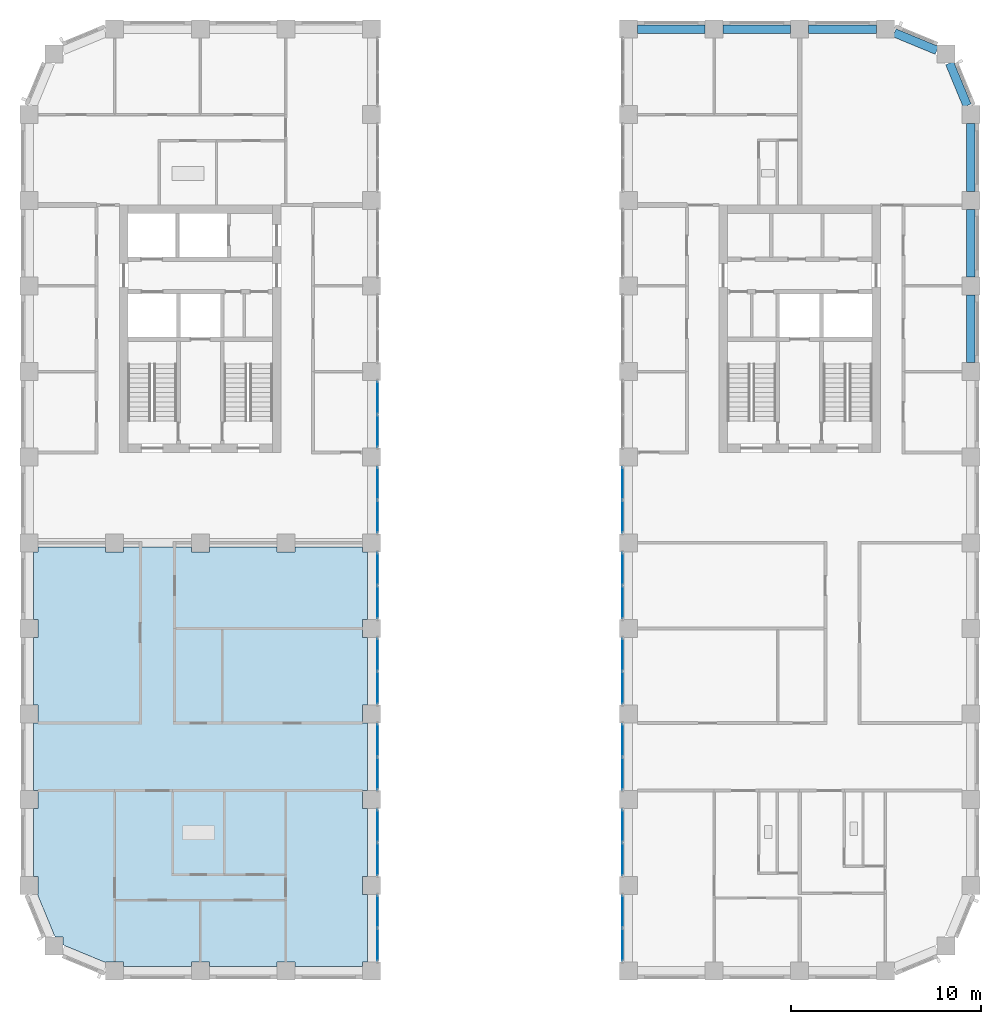
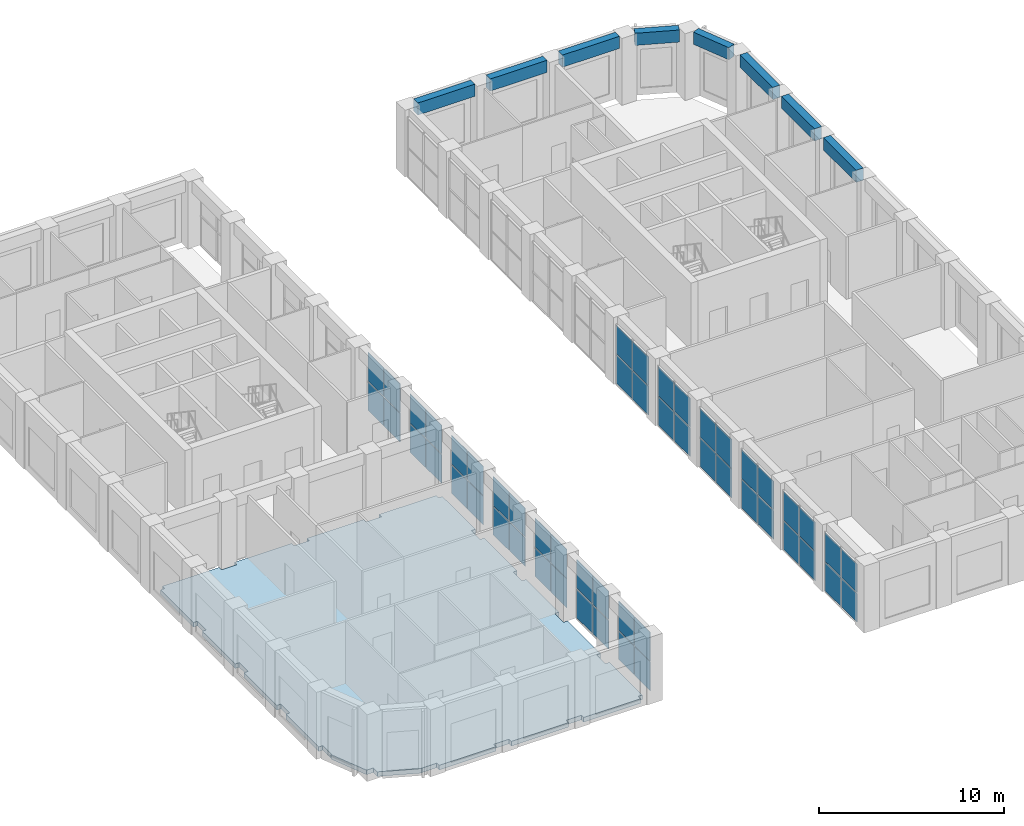
# One storey, part 7 of 19: 52 plates, 8 beams, 1 slab, 13 elements without a shape of their own.
"""IFC4 building model written with IfcOpenShell, lengths in metres."""

from ifc_helpers import new_model, si_unit, direction, frame, origin, origin_2d, place, context, subcontext, project, spatial, polyline, rectangle, outline, extrude, material, layer, layer_set, material_profile, profile_set, type_object, element, aggregate, save


model = new_model("IFC4")

# Units and contexts
model_context = context("Model", 3, precision=1e-05, world=origin(), true_north=direction((0.0, 1.0)))
body_context = subcontext(model_context, "Body", "Model", "MODEL_VIEW")
ifc_project = project(units=[si_unit("LENGTHUNIT", "METRE"), si_unit("AREAUNIT", "SQUARE_METRE"), si_unit("VOLUMEUNIT", "CUBIC_METRE"), si_unit("PLANEANGLEUNIT", "RADIAN"), si_unit("MASSUNIT", "GRAM", prefix="KILO")], contexts=[model_context])

# Site, building, storey
site_placement = place(None, origin())
site = spatial("IfcSite", under=ifc_project, at=site_placement, CompositionType="ELEMENT")
building_placement = place(site_placement, origin())
building = spatial("IfcBuilding", under=site, at=building_placement, Name="Girih Gate Residences", CompositionType="ELEMENT")
storey_placement = place(building_placement, frame((0.0, 0.0, 163.800048828125)))
storey = spatial("IfcBuildingStorey", under=building, at=storey_placement, Name="L45", CompositionType="ELEMENT", Elevation=163.800048828125)

# Beams
ifc_material_1 = material(Name="Concrete C60/75", Category="concrete")
ifc_material_profile = material_profile(ifc_material_1, rectangle(XDim=0.449951171875, YDim=0.800048828125, at=origin_2d()))
ifc_profile_set = profile_set([ifc_material_profile], Name="Concrete C60/75")
beam_type = type_object("IfcBeamType", Name="Spandrel girder RC 450x800 Concrete C60/75", PredefinedType="BEAM", material=ifc_profile_set)
for number, where, z_axis, x_axis, name in (
    (1, (49.5, 31.97509765625, 4.0), (0.0, 1.0, 0.0), (-1.0, 0.0, 0.0), "Spandrel girder SP-P12H-P12I L45"),
    (2, (49.5, 36.47509765625, 4.0), (0.0, 1.0, 0.0), (-1.0, 0.0, 0.0), "Spandrel girder SP-P12I-P12J L45"),
    (3, (49.5, 40.97509765625, 4.0), (0.0, 1.0, 0.0), (-1.0, 0.0, 0.0), "Spandrel girder SP-P12J-P12K L45"),
):
    element("IfcBeam", number, at=place(storey_placement, frame(where, z_axis=z_axis, x_axis=x_axis)), inside=storey, type_object=beam_type, Name=name, PredefinedType="BEAM", context=body_context, shape_type="SweptSolid", body=[
        extrude(rectangle(XDim=0.449951171875, YDim=0.800048828125, at=origin_2d()), origin(), (0.0, 0.0, 1.0), 3.5498046875),
    ])
for number, where, z_axis, x_axis, name in (
    (4, (49.30322265625, 45.47509765625, 4.0), (-0.382705825988, 0.923870256451, 0.0), (-0.923870256451, -0.382705825988, 0.0), "Spandrel girder SP-P12K-P12LSW L45"),
    (5, (47.70703125, 48.378662109375, 4.0), (-0.923870256451, 0.382705825988, 0.0), (-0.382705825988, -0.923870256451, 0.0), "Spandrel girder SP-P12LSW-P11L L45"),
):
    element("IfcBeam", number, at=place(storey_placement, frame(where, z_axis=z_axis, x_axis=x_axis)), inside=storey, type_object=beam_type, Name=name, PredefinedType="BEAM", context=body_context, shape_type="SweptSolid", body=[
        extrude(rectangle(XDim=0.449951171875, YDim=0.800048828125, at=origin_2d()), origin(), (0.0, 0.0, 1.0), 2.415771484375),
    ])
for number, where, z_axis, x_axis, name in (
    (6, (44.52490234375, 49.5, 4.0), (-1.0, 0.0, 0.0), (0.0, -1.0, 0.0), "Spandrel girder SP-P11L-P10L L45"),
    (7, (40.02490234375, 49.5, 4.0), (-1.0, 0.0, 0.0), (0.0, -1.0, 0.0), "Spandrel girder SP-P10L-P9L L45"),
    (8, (35.52490234375, 49.5, 4.0), (-1.0, 0.0, 0.0), (0.0, -1.0, 0.0), "Spandrel girder SP-P9L-P8L L45"),
):
    element("IfcBeam", number, at=place(storey_placement, frame(where, z_axis=z_axis, x_axis=x_axis)), inside=storey, type_object=beam_type, Name=name, PredefinedType="BEAM", context=body_context, shape_type="SweptSolid", body=[
        extrude(rectangle(XDim=0.449951171875, YDim=0.800048828125, at=origin_2d()), origin(), (0.0, 0.0, 1.0), 3.5498046875),
    ])

# Curtain wall, plates
ifc_material_2 = material(Name="Aluminium curtain wall frame", Category="aluminium")
curtain_wall_type = type_object("IfcCurtainWallType", Name="Curtain wall CW-7 portal lounge glazing", PredefinedType="NOTDEFINED", material=ifc_material_2)
curtain_wall_1_placement = place(storey_placement, origin())
curtain_wall_1 = element("IfcCurtainWall", 9, at=curtain_wall_1_placement, inside=storey, type_object=curtain_wall_type, Name="CW-7 Portal lounge glazing E0180_0000.0", PredefinedType="NOTDEFINED")
ifc_material_3 = material(Name="Double glazed unit")
ifc_layer_1 = layer(ifc_material_3, 0.028076171875)
ifc_layer_set_1 = layer_set([ifc_layer_1], Name="Curtain wall glass panel 28")
plate_type = type_object("IfcPlateType", Name="Curtain wall glass panel 28", PredefinedType="CURTAIN_PANEL", material=ifc_layer_set_1)
plate_1_placement = place(storey_placement, frame((18.31494140625, 1.37744140625, 0.06005859375), z_axis=(0.0, 0.0, 1.0), x_axis=(0.0, 1.0, 0.0)))
plate_1 = element("IfcPlate", 10, at=plate_1_placement, type_object=plate_type, Name="CW-7 panel 1.1", PredefinedType="CURTAIN_PANEL", context=body_context, shape_type="SweptSolid", body=[
    extrude(rectangle(XDim=1.68505859375, YDim=0.028076171875, at=origin_2d()), origin(), (0.0, 0.0, 1.0), 1.885009765625),
])
plate_2_placement = place(storey_placement, frame((18.31494140625, 1.37744140625, 2.0048828125), z_axis=(0.0, 0.0, 1.0), x_axis=(0.0, 1.0, 0.0)))
plate_2 = element("IfcPlate", 11, at=plate_2_placement, type_object=plate_type, Name="CW-7 panel 1.2", PredefinedType="CURTAIN_PANEL", context=body_context, shape_type="SweptSolid", body=[
    extrude(rectangle(XDim=1.68505859375, YDim=0.028076171875, at=origin_2d()), origin(), (0.0, 0.0, 1.0), 1.885009765625),
])
plate_3_placement = place(storey_placement, frame((18.31494140625, 3.12255859375, 0.06005859375), z_axis=(0.0, 0.0, 1.0), x_axis=(0.0, 1.0, 0.0)))
plate_3 = element("IfcPlate", 12, at=plate_3_placement, type_object=plate_type, Name="CW-7 panel 2.1", PredefinedType="CURTAIN_PANEL", context=body_context, shape_type="SweptSolid", body=[
    extrude(rectangle(XDim=1.68505859375, YDim=0.028076171875, at=origin_2d()), origin(), (0.0, 0.0, 1.0), 1.885009765625),
])
plate_4_placement = place(storey_placement, frame((18.31494140625, 3.12255859375, 2.0048828125), z_axis=(0.0, 0.0, 1.0), x_axis=(0.0, 1.0, 0.0)))
plate_4 = element("IfcPlate", 13, at=plate_4_placement, type_object=plate_type, Name="CW-7 panel 2.2", PredefinedType="CURTAIN_PANEL", context=body_context, shape_type="SweptSolid", body=[
    extrude(rectangle(XDim=1.68505859375, YDim=0.028076171875, at=origin_2d()), origin(), (0.0, 0.0, 1.0), 1.885009765625),
])
aggregate(curtain_wall_1, [plate_1, plate_2, plate_3, plate_4])

curtain_wall_2_placement = place(storey_placement, origin())
curtain_wall_2 = element("IfcCurtainWall", 14, at=curtain_wall_2_placement, inside=storey, type_object=curtain_wall_type, Name="CW-7 Portal lounge glazing E0180_0000.1", PredefinedType="NOTDEFINED")
plate_5_placement = place(storey_placement, frame((18.31494140625, 5.87744140625, 0.06005859375), z_axis=(0.0, 0.0, 1.0), x_axis=(0.0, 1.0, 0.0)))
plate_5 = element("IfcPlate", 15, at=plate_5_placement, type_object=plate_type, Name="CW-7 panel 1.1", PredefinedType="CURTAIN_PANEL", context=body_context, shape_type="SweptSolid", body=[
    extrude(rectangle(XDim=1.68505859375, YDim=0.028076171875, at=origin_2d()), origin(), (0.0, 0.0, 1.0), 1.885009765625),
])
plate_6_placement = place(storey_placement, frame((18.31494140625, 5.87744140625, 2.0048828125), z_axis=(0.0, 0.0, 1.0), x_axis=(0.0, 1.0, 0.0)))
plate_6 = element("IfcPlate", 16, at=plate_6_placement, type_object=plate_type, Name="CW-7 panel 1.2", PredefinedType="CURTAIN_PANEL", context=body_context, shape_type="SweptSolid", body=[
    extrude(rectangle(XDim=1.68505859375, YDim=0.028076171875, at=origin_2d()), origin(), (0.0, 0.0, 1.0), 1.885009765625),
])
plate_7_placement = place(storey_placement, frame((18.31494140625, 7.62255859375, 0.06005859375), z_axis=(0.0, 0.0, 1.0), x_axis=(0.0, 1.0, 0.0)))
plate_7 = element("IfcPlate", 17, at=plate_7_placement, type_object=plate_type, Name="CW-7 panel 2.1", PredefinedType="CURTAIN_PANEL", context=body_context, shape_type="SweptSolid", body=[
    extrude(rectangle(XDim=1.68505859375, YDim=0.028076171875, at=origin_2d()), origin(), (0.0, 0.0, 1.0), 1.885009765625),
])
plate_8_placement = place(storey_placement, frame((18.31494140625, 7.62255859375, 2.0048828125), z_axis=(0.0, 0.0, 1.0), x_axis=(0.0, 1.0, 0.0)))
plate_8 = element("IfcPlate", 18, at=plate_8_placement, type_object=plate_type, Name="CW-7 panel 2.2", PredefinedType="CURTAIN_PANEL", context=body_context, shape_type="SweptSolid", body=[
    extrude(rectangle(XDim=1.68505859375, YDim=0.028076171875, at=origin_2d()), origin(), (0.0, 0.0, 1.0), 1.885009765625),
])
aggregate(curtain_wall_2, [plate_5, plate_6, plate_7, plate_8])

curtain_wall_3_placement = place(storey_placement, origin())
curtain_wall_3 = element("IfcCurtainWall", 19, at=curtain_wall_3_placement, inside=storey, type_object=curtain_wall_type, Name="CW-7 Portal lounge glazing E0180_0000.2", PredefinedType="NOTDEFINED")
plate_9_placement = place(storey_placement, frame((18.31494140625, 10.37744140625, 0.06005859375), z_axis=(0.0, 0.0, 1.0), x_axis=(0.0, 1.0, 0.0)))
plate_9 = element("IfcPlate", 20, at=plate_9_placement, type_object=plate_type, Name="CW-7 panel 1.1", PredefinedType="CURTAIN_PANEL", context=body_context, shape_type="SweptSolid", body=[
    extrude(rectangle(XDim=1.68505859375, YDim=0.028076171875, at=origin_2d()), origin(), (0.0, 0.0, 1.0), 1.885009765625),
])
plate_10_placement = place(storey_placement, frame((18.31494140625, 10.37744140625, 2.0048828125), z_axis=(0.0, 0.0, 1.0), x_axis=(0.0, 1.0, 0.0)))
plate_10 = element("IfcPlate", 21, at=plate_10_placement, type_object=plate_type, Name="CW-7 panel 1.2", PredefinedType="CURTAIN_PANEL", context=body_context, shape_type="SweptSolid", body=[
    extrude(rectangle(XDim=1.68505859375, YDim=0.028076171875, at=origin_2d()), origin(), (0.0, 0.0, 1.0), 1.885009765625),
])
plate_11_placement = place(storey_placement, frame((18.31494140625, 12.12255859375, 0.06005859375), z_axis=(0.0, 0.0, 1.0), x_axis=(0.0, 1.0, 0.0)))
plate_11 = element("IfcPlate", 22, at=plate_11_placement, type_object=plate_type, Name="CW-7 panel 2.1", PredefinedType="CURTAIN_PANEL", context=body_context, shape_type="SweptSolid", body=[
    extrude(rectangle(XDim=1.68505859375, YDim=0.028076171875, at=origin_2d()), origin(), (0.0, 0.0, 1.0), 1.885009765625),
])
plate_12_placement = place(storey_placement, frame((18.31494140625, 12.12255859375, 2.0048828125), z_axis=(0.0, 0.0, 1.0), x_axis=(0.0, 1.0, 0.0)))
plate_12 = element("IfcPlate", 23, at=plate_12_placement, type_object=plate_type, Name="CW-7 panel 2.2", PredefinedType="CURTAIN_PANEL", context=body_context, shape_type="SweptSolid", body=[
    extrude(rectangle(XDim=1.68505859375, YDim=0.028076171875, at=origin_2d()), origin(), (0.0, 0.0, 1.0), 1.885009765625),
])
aggregate(curtain_wall_3, [plate_9, plate_10, plate_11, plate_12])

curtain_wall_4_placement = place(storey_placement, origin())
curtain_wall_4 = element("IfcCurtainWall", 24, at=curtain_wall_4_placement, inside=storey, type_object=curtain_wall_type, Name="CW-7 Portal lounge glazing E0180_0000.3", PredefinedType="NOTDEFINED")
plate_13_placement = place(storey_placement, frame((18.31494140625, 14.87744140625, 0.06005859375), z_axis=(0.0, 0.0, 1.0), x_axis=(0.0, 1.0, 0.0)))
plate_13 = element("IfcPlate", 25, at=plate_13_placement, type_object=plate_type, Name="CW-7 panel 1.1", PredefinedType="CURTAIN_PANEL", context=body_context, shape_type="SweptSolid", body=[
    extrude(rectangle(XDim=1.68505859375, YDim=0.028076171875, at=origin_2d()), origin(), (0.0, 0.0, 1.0), 1.885009765625),
])
plate_14_placement = place(storey_placement, frame((18.31494140625, 14.87744140625, 2.0048828125), z_axis=(0.0, 0.0, 1.0), x_axis=(0.0, 1.0, 0.0)))
plate_14 = element("IfcPlate", 26, at=plate_14_placement, type_object=plate_type, Name="CW-7 panel 1.2", PredefinedType="CURTAIN_PANEL", context=body_context, shape_type="SweptSolid", body=[
    extrude(rectangle(XDim=1.68505859375, YDim=0.028076171875, at=origin_2d()), origin(), (0.0, 0.0, 1.0), 1.885009765625),
])
plate_15_placement = place(storey_placement, frame((18.31494140625, 16.62255859375, 0.06005859375), z_axis=(0.0, 0.0, 1.0), x_axis=(0.0, 1.0, 0.0)))
plate_15 = element("IfcPlate", 27, at=plate_15_placement, type_object=plate_type, Name="CW-7 panel 2.1", PredefinedType="CURTAIN_PANEL", context=body_context, shape_type="SweptSolid", body=[
    extrude(rectangle(XDim=1.68505859375, YDim=0.028076171875, at=origin_2d()), origin(), (0.0, 0.0, 1.0), 1.885009765625),
])
plate_16_placement = place(storey_placement, frame((18.31494140625, 16.62255859375, 2.0048828125), z_axis=(0.0, 0.0, 1.0), x_axis=(0.0, 1.0, 0.0)))
plate_16 = element("IfcPlate", 28, at=plate_16_placement, type_object=plate_type, Name="CW-7 panel 2.2", PredefinedType="CURTAIN_PANEL", context=body_context, shape_type="SweptSolid", body=[
    extrude(rectangle(XDim=1.68505859375, YDim=0.028076171875, at=origin_2d()), origin(), (0.0, 0.0, 1.0), 1.885009765625),
])
aggregate(curtain_wall_4, [plate_13, plate_14, plate_15, plate_16])

curtain_wall_5_placement = place(storey_placement, origin())
curtain_wall_5 = element("IfcCurtainWall", 29, at=curtain_wall_5_placement, inside=storey, type_object=curtain_wall_type, Name="CW-7 Portal lounge glazing E0180_0000.4", PredefinedType="NOTDEFINED")
plate_17_placement = place(storey_placement, frame((18.31494140625, 19.37744140625, 0.06005859375), z_axis=(0.0, 0.0, 1.0), x_axis=(0.0, 1.0, 0.0)))
plate_17 = element("IfcPlate", 30, at=plate_17_placement, type_object=plate_type, Name="CW-7 panel 1.1", PredefinedType="CURTAIN_PANEL", context=body_context, shape_type="SweptSolid", body=[
    extrude(rectangle(XDim=1.68505859375, YDim=0.028076171875, at=origin_2d()), origin(), (0.0, 0.0, 1.0), 1.885009765625),
])
plate_18_placement = place(storey_placement, frame((18.31494140625, 19.37744140625, 2.0048828125), z_axis=(0.0, 0.0, 1.0), x_axis=(0.0, 1.0, 0.0)))
plate_18 = element("IfcPlate", 31, at=plate_18_placement, type_object=plate_type, Name="CW-7 panel 1.2", PredefinedType="CURTAIN_PANEL", context=body_context, shape_type="SweptSolid", body=[
    extrude(rectangle(XDim=1.68505859375, YDim=0.028076171875, at=origin_2d()), origin(), (0.0, 0.0, 1.0), 1.885009765625),
])
plate_19_placement = place(storey_placement, frame((18.31494140625, 21.12255859375, 0.06005859375), z_axis=(0.0, 0.0, 1.0), x_axis=(0.0, 1.0, 0.0)))
plate_19 = element("IfcPlate", 32, at=plate_19_placement, type_object=plate_type, Name="CW-7 panel 2.1", PredefinedType="CURTAIN_PANEL", context=body_context, shape_type="SweptSolid", body=[
    extrude(rectangle(XDim=1.68505859375, YDim=0.028076171875, at=origin_2d()), origin(), (0.0, 0.0, 1.0), 1.885009765625),
])
plate_20_placement = place(storey_placement, frame((18.31494140625, 21.12255859375, 2.0048828125), z_axis=(0.0, 0.0, 1.0), x_axis=(0.0, 1.0, 0.0)))
plate_20 = element("IfcPlate", 33, at=plate_20_placement, type_object=plate_type, Name="CW-7 panel 2.2", PredefinedType="CURTAIN_PANEL", context=body_context, shape_type="SweptSolid", body=[
    extrude(rectangle(XDim=1.68505859375, YDim=0.028076171875, at=origin_2d()), origin(), (0.0, 0.0, 1.0), 1.885009765625),
])
aggregate(curtain_wall_5, [plate_17, plate_18, plate_19, plate_20])

curtain_wall_6_placement = place(storey_placement, origin())
curtain_wall_6 = element("IfcCurtainWall", 34, at=curtain_wall_6_placement, inside=storey, type_object=curtain_wall_type, Name="CW-7 Portal lounge glazing E0180_0000.5", PredefinedType="NOTDEFINED")
plate_21_placement = place(storey_placement, frame((18.31494140625, 23.87744140625, 0.06005859375), z_axis=(0.0, 0.0, 1.0), x_axis=(0.0, 1.0, 0.0)))
plate_21 = element("IfcPlate", 35, at=plate_21_placement, type_object=plate_type, Name="CW-7 panel 1.1", PredefinedType="CURTAIN_PANEL", context=body_context, shape_type="SweptSolid", body=[
    extrude(rectangle(XDim=1.68505859375, YDim=0.028076171875, at=origin_2d()), origin(), (0.0, 0.0, 1.0), 1.885009765625),
])
plate_22_placement = place(storey_placement, frame((18.31494140625, 23.87744140625, 2.0048828125), z_axis=(0.0, 0.0, 1.0), x_axis=(0.0, 1.0, 0.0)))
plate_22 = element("IfcPlate", 36, at=plate_22_placement, type_object=plate_type, Name="CW-7 panel 1.2", PredefinedType="CURTAIN_PANEL", context=body_context, shape_type="SweptSolid", body=[
    extrude(rectangle(XDim=1.68505859375, YDim=0.028076171875, at=origin_2d()), origin(), (0.0, 0.0, 1.0), 1.885009765625),
])
plate_23_placement = place(storey_placement, frame((18.31494140625, 25.62255859375, 0.06005859375), z_axis=(0.0, 0.0, 1.0), x_axis=(0.0, 1.0, 0.0)))
plate_23 = element("IfcPlate", 37, at=plate_23_placement, type_object=plate_type, Name="CW-7 panel 2.1", PredefinedType="CURTAIN_PANEL", context=body_context, shape_type="SweptSolid", body=[
    extrude(rectangle(XDim=1.68505859375, YDim=0.028076171875, at=origin_2d()), origin(), (0.0, 0.0, 1.0), 1.885009765625),
])
plate_24_placement = place(storey_placement, frame((18.31494140625, 25.62255859375, 2.0048828125), z_axis=(0.0, 0.0, 1.0), x_axis=(0.0, 1.0, 0.0)))
plate_24 = element("IfcPlate", 38, at=plate_24_placement, type_object=plate_type, Name="CW-7 panel 2.2", PredefinedType="CURTAIN_PANEL", context=body_context, shape_type="SweptSolid", body=[
    extrude(rectangle(XDim=1.68505859375, YDim=0.028076171875, at=origin_2d()), origin(), (0.0, 0.0, 1.0), 1.885009765625),
])
aggregate(curtain_wall_6, [plate_21, plate_22, plate_23, plate_24])

curtain_wall_7_placement = place(storey_placement, origin())
curtain_wall_7 = element("IfcCurtainWall", 39, at=curtain_wall_7_placement, inside=storey, type_object=curtain_wall_type, Name="CW-7 Portal lounge glazing E0180_0000.6", PredefinedType="NOTDEFINED")
plate_25_placement = place(storey_placement, frame((18.31494140625, 28.37744140625, 0.06005859375), z_axis=(0.0, 0.0, 1.0), x_axis=(0.0, 1.0, 0.0)))
plate_25 = element("IfcPlate", 40, at=plate_25_placement, type_object=plate_type, Name="CW-7 panel 1.1", PredefinedType="CURTAIN_PANEL", context=body_context, shape_type="SweptSolid", body=[
    extrude(rectangle(XDim=1.68505859375, YDim=0.028076171875, at=origin_2d()), origin(), (0.0, 0.0, 1.0), 1.885009765625),
])
plate_26_placement = place(storey_placement, frame((18.31494140625, 28.37744140625, 2.0048828125), z_axis=(0.0, 0.0, 1.0), x_axis=(0.0, 1.0, 0.0)))
plate_26 = element("IfcPlate", 41, at=plate_26_placement, type_object=plate_type, Name="CW-7 panel 1.2", PredefinedType="CURTAIN_PANEL", context=body_context, shape_type="SweptSolid", body=[
    extrude(rectangle(XDim=1.68505859375, YDim=0.028076171875, at=origin_2d()), origin(), (0.0, 0.0, 1.0), 1.885009765625),
])
plate_27_placement = place(storey_placement, frame((18.31494140625, 30.12255859375, 0.06005859375), z_axis=(0.0, 0.0, 1.0), x_axis=(0.0, 1.0, 0.0)))
plate_27 = element("IfcPlate", 42, at=plate_27_placement, type_object=plate_type, Name="CW-7 panel 2.1", PredefinedType="CURTAIN_PANEL", context=body_context, shape_type="SweptSolid", body=[
    extrude(rectangle(XDim=1.68505859375, YDim=0.028076171875, at=origin_2d()), origin(), (0.0, 0.0, 1.0), 1.885009765625),
])
plate_28_placement = place(storey_placement, frame((18.31494140625, 30.12255859375, 2.0048828125), z_axis=(0.0, 0.0, 1.0), x_axis=(0.0, 1.0, 0.0)))
plate_28 = element("IfcPlate", 43, at=plate_28_placement, type_object=plate_type, Name="CW-7 panel 2.2", PredefinedType="CURTAIN_PANEL", context=body_context, shape_type="SweptSolid", body=[
    extrude(rectangle(XDim=1.68505859375, YDim=0.028076171875, at=origin_2d()), origin(), (0.0, 0.0, 1.0), 1.885009765625),
])
aggregate(curtain_wall_7, [plate_25, plate_26, plate_27, plate_28])

curtain_wall_8_placement = place(storey_placement, origin())
curtain_wall_8 = element("IfcCurtainWall", 44, at=curtain_wall_8_placement, inside=storey, type_object=curtain_wall_type, Name="CW-7 Portal lounge glazing W0315_0495.5", PredefinedType="NOTDEFINED")
plate_29_placement = place(storey_placement, frame((31.18505859375, 25.62255859375, 0.06005859375), z_axis=(0.0, 0.0, 1.0), x_axis=(0.0, -1.0, 0.0)))
plate_29 = element("IfcPlate", 45, at=plate_29_placement, type_object=plate_type, Name="CW-7 panel 1.1", PredefinedType="CURTAIN_PANEL", context=body_context, shape_type="SweptSolid", body=[
    extrude(rectangle(XDim=1.68505859375, YDim=0.028076171875, at=origin_2d()), origin(), (0.0, 0.0, 1.0), 1.885009765625),
])
plate_30_placement = place(storey_placement, frame((31.18505859375, 25.62255859375, 2.0048828125), z_axis=(0.0, 0.0, 1.0), x_axis=(0.0, -1.0, 0.0)))
plate_30 = element("IfcPlate", 46, at=plate_30_placement, type_object=plate_type, Name="CW-7 panel 1.2", PredefinedType="CURTAIN_PANEL", context=body_context, shape_type="SweptSolid", body=[
    extrude(rectangle(XDim=1.68505859375, YDim=0.028076171875, at=origin_2d()), origin(), (0.0, 0.0, 1.0), 1.885009765625),
])
plate_31_placement = place(storey_placement, frame((31.18505859375, 23.87744140625, 0.06005859375), z_axis=(0.0, 0.0, 1.0), x_axis=(0.0, -1.0, 0.0)))
plate_31 = element("IfcPlate", 47, at=plate_31_placement, type_object=plate_type, Name="CW-7 panel 2.1", PredefinedType="CURTAIN_PANEL", context=body_context, shape_type="SweptSolid", body=[
    extrude(rectangle(XDim=1.68505859375, YDim=0.028076171875, at=origin_2d()), origin(), (0.0, 0.0, 1.0), 1.885009765625),
])
plate_32_placement = place(storey_placement, frame((31.18505859375, 23.87744140625, 2.0048828125), z_axis=(0.0, 0.0, 1.0), x_axis=(0.0, -1.0, 0.0)))
plate_32 = element("IfcPlate", 48, at=plate_32_placement, type_object=plate_type, Name="CW-7 panel 2.2", PredefinedType="CURTAIN_PANEL", context=body_context, shape_type="SweptSolid", body=[
    extrude(rectangle(XDim=1.68505859375, YDim=0.028076171875, at=origin_2d()), origin(), (0.0, 0.0, 1.0), 1.885009765625),
])
aggregate(curtain_wall_8, [plate_29, plate_30, plate_31, plate_32])

curtain_wall_9_placement = place(storey_placement, origin())
curtain_wall_9 = element("IfcCurtainWall", 49, at=curtain_wall_9_placement, inside=storey, type_object=curtain_wall_type, Name="CW-7 Portal lounge glazing W0315_0495.6", PredefinedType="NOTDEFINED")
plate_33_placement = place(storey_placement, frame((31.18505859375, 21.12255859375, 0.06005859375), z_axis=(0.0, 0.0, 1.0), x_axis=(0.0, -1.0, 0.0)))
plate_33 = element("IfcPlate", 50, at=plate_33_placement, type_object=plate_type, Name="CW-7 panel 1.1", PredefinedType="CURTAIN_PANEL", context=body_context, shape_type="SweptSolid", body=[
    extrude(rectangle(XDim=1.68505859375, YDim=0.028076171875, at=origin_2d()), origin(), (0.0, 0.0, 1.0), 1.885009765625),
])
plate_34_placement = place(storey_placement, frame((31.18505859375, 21.12255859375, 2.0048828125), z_axis=(0.0, 0.0, 1.0), x_axis=(0.0, -1.0, 0.0)))
plate_34 = element("IfcPlate", 51, at=plate_34_placement, type_object=plate_type, Name="CW-7 panel 1.2", PredefinedType="CURTAIN_PANEL", context=body_context, shape_type="SweptSolid", body=[
    extrude(rectangle(XDim=1.68505859375, YDim=0.028076171875, at=origin_2d()), origin(), (0.0, 0.0, 1.0), 1.885009765625),
])
plate_35_placement = place(storey_placement, frame((31.18505859375, 19.37744140625, 0.06005859375), z_axis=(0.0, 0.0, 1.0), x_axis=(0.0, -1.0, 0.0)))
plate_35 = element("IfcPlate", 52, at=plate_35_placement, type_object=plate_type, Name="CW-7 panel 2.1", PredefinedType="CURTAIN_PANEL", context=body_context, shape_type="SweptSolid", body=[
    extrude(rectangle(XDim=1.68505859375, YDim=0.028076171875, at=origin_2d()), origin(), (0.0, 0.0, 1.0), 1.885009765625),
])
plate_36_placement = place(storey_placement, frame((31.18505859375, 19.37744140625, 2.0048828125), z_axis=(0.0, 0.0, 1.0), x_axis=(0.0, -1.0, 0.0)))
plate_36 = element("IfcPlate", 53, at=plate_36_placement, type_object=plate_type, Name="CW-7 panel 2.2", PredefinedType="CURTAIN_PANEL", context=body_context, shape_type="SweptSolid", body=[
    extrude(rectangle(XDim=1.68505859375, YDim=0.028076171875, at=origin_2d()), origin(), (0.0, 0.0, 1.0), 1.885009765625),
])
aggregate(curtain_wall_9, [plate_33, plate_34, plate_35, plate_36])

curtain_wall_10_placement = place(storey_placement, origin())
curtain_wall_10 = element("IfcCurtainWall", 54, at=curtain_wall_10_placement, inside=storey, type_object=curtain_wall_type, Name="CW-7 Portal lounge glazing W0315_0495.7", PredefinedType="NOTDEFINED")
plate_37_placement = place(storey_placement, frame((31.18505859375, 16.62255859375, 0.06005859375), z_axis=(0.0, 0.0, 1.0), x_axis=(0.0, -1.0, 0.0)))
plate_37 = element("IfcPlate", 55, at=plate_37_placement, type_object=plate_type, Name="CW-7 panel 1.1", PredefinedType="CURTAIN_PANEL", context=body_context, shape_type="SweptSolid", body=[
    extrude(rectangle(XDim=1.68505859375, YDim=0.028076171875, at=origin_2d()), origin(), (0.0, 0.0, 1.0), 1.885009765625),
])
plate_38_placement = place(storey_placement, frame((31.18505859375, 16.62255859375, 2.0048828125), z_axis=(0.0, 0.0, 1.0), x_axis=(0.0, -1.0, 0.0)))
plate_38 = element("IfcPlate", 56, at=plate_38_placement, type_object=plate_type, Name="CW-7 panel 1.2", PredefinedType="CURTAIN_PANEL", context=body_context, shape_type="SweptSolid", body=[
    extrude(rectangle(XDim=1.68505859375, YDim=0.028076171875, at=origin_2d()), origin(), (0.0, 0.0, 1.0), 1.885009765625),
])
plate_39_placement = place(storey_placement, frame((31.18505859375, 14.87744140625, 0.06005859375), z_axis=(0.0, 0.0, 1.0), x_axis=(0.0, -1.0, 0.0)))
plate_39 = element("IfcPlate", 57, at=plate_39_placement, type_object=plate_type, Name="CW-7 panel 2.1", PredefinedType="CURTAIN_PANEL", context=body_context, shape_type="SweptSolid", body=[
    extrude(rectangle(XDim=1.68505859375, YDim=0.028076171875, at=origin_2d()), origin(), (0.0, 0.0, 1.0), 1.885009765625),
])
plate_40_placement = place(storey_placement, frame((31.18505859375, 14.87744140625, 2.0048828125), z_axis=(0.0, 0.0, 1.0), x_axis=(0.0, -1.0, 0.0)))
plate_40 = element("IfcPlate", 58, at=plate_40_placement, type_object=plate_type, Name="CW-7 panel 2.2", PredefinedType="CURTAIN_PANEL", context=body_context, shape_type="SweptSolid", body=[
    extrude(rectangle(XDim=1.68505859375, YDim=0.028076171875, at=origin_2d()), origin(), (0.0, 0.0, 1.0), 1.885009765625),
])
aggregate(curtain_wall_10, [plate_37, plate_38, plate_39, plate_40])

curtain_wall_11_placement = place(storey_placement, origin())
curtain_wall_11 = element("IfcCurtainWall", 59, at=curtain_wall_11_placement, inside=storey, type_object=curtain_wall_type, Name="CW-7 Portal lounge glazing W0315_0495.8", PredefinedType="NOTDEFINED")
plate_41_placement = place(storey_placement, frame((31.18505859375, 12.12255859375, 0.06005859375), z_axis=(0.0, 0.0, 1.0), x_axis=(0.0, -1.0, 0.0)))
plate_41 = element("IfcPlate", 60, at=plate_41_placement, type_object=plate_type, Name="CW-7 panel 1.1", PredefinedType="CURTAIN_PANEL", context=body_context, shape_type="SweptSolid", body=[
    extrude(rectangle(XDim=1.68505859375, YDim=0.028076171875, at=origin_2d()), origin(), (0.0, 0.0, 1.0), 1.885009765625),
])
plate_42_placement = place(storey_placement, frame((31.18505859375, 12.12255859375, 2.0048828125), z_axis=(0.0, 0.0, 1.0), x_axis=(0.0, -1.0, 0.0)))
plate_42 = element("IfcPlate", 61, at=plate_42_placement, type_object=plate_type, Name="CW-7 panel 1.2", PredefinedType="CURTAIN_PANEL", context=body_context, shape_type="SweptSolid", body=[
    extrude(rectangle(XDim=1.68505859375, YDim=0.028076171875, at=origin_2d()), origin(), (0.0, 0.0, 1.0), 1.885009765625),
])
plate_43_placement = place(storey_placement, frame((31.18505859375, 10.37744140625, 0.06005859375), z_axis=(0.0, 0.0, 1.0), x_axis=(0.0, -1.0, 0.0)))
plate_43 = element("IfcPlate", 62, at=plate_43_placement, type_object=plate_type, Name="CW-7 panel 2.1", PredefinedType="CURTAIN_PANEL", context=body_context, shape_type="SweptSolid", body=[
    extrude(rectangle(XDim=1.68505859375, YDim=0.028076171875, at=origin_2d()), origin(), (0.0, 0.0, 1.0), 1.885009765625),
])
plate_44_placement = place(storey_placement, frame((31.18505859375, 10.37744140625, 2.0048828125), z_axis=(0.0, 0.0, 1.0), x_axis=(0.0, -1.0, 0.0)))
plate_44 = element("IfcPlate", 63, at=plate_44_placement, type_object=plate_type, Name="CW-7 panel 2.2", PredefinedType="CURTAIN_PANEL", context=body_context, shape_type="SweptSolid", body=[
    extrude(rectangle(XDim=1.68505859375, YDim=0.028076171875, at=origin_2d()), origin(), (0.0, 0.0, 1.0), 1.885009765625),
])
aggregate(curtain_wall_11, [plate_41, plate_42, plate_43, plate_44])

curtain_wall_12_placement = place(storey_placement, origin())
curtain_wall_12 = element("IfcCurtainWall", 64, at=curtain_wall_12_placement, inside=storey, type_object=curtain_wall_type, Name="CW-7 Portal lounge glazing W0315_0495.9", PredefinedType="NOTDEFINED")
plate_45_placement = place(storey_placement, frame((31.18505859375, 7.62255859375, 0.06005859375), z_axis=(0.0, 0.0, 1.0), x_axis=(0.0, -1.0, 0.0)))
plate_45 = element("IfcPlate", 65, at=plate_45_placement, type_object=plate_type, Name="CW-7 panel 1.1", PredefinedType="CURTAIN_PANEL", context=body_context, shape_type="SweptSolid", body=[
    extrude(rectangle(XDim=1.68505859375, YDim=0.028076171875, at=origin_2d()), origin(), (0.0, 0.0, 1.0), 1.885009765625),
])
plate_46_placement = place(storey_placement, frame((31.18505859375, 7.62255859375, 2.0048828125), z_axis=(0.0, 0.0, 1.0), x_axis=(0.0, -1.0, 0.0)))
plate_46 = element("IfcPlate", 66, at=plate_46_placement, type_object=plate_type, Name="CW-7 panel 1.2", PredefinedType="CURTAIN_PANEL", context=body_context, shape_type="SweptSolid", body=[
    extrude(rectangle(XDim=1.68505859375, YDim=0.028076171875, at=origin_2d()), origin(), (0.0, 0.0, 1.0), 1.885009765625),
])
plate_47_placement = place(storey_placement, frame((31.18505859375, 5.87744140625, 0.06005859375), z_axis=(0.0, 0.0, 1.0), x_axis=(0.0, -1.0, 0.0)))
plate_47 = element("IfcPlate", 67, at=plate_47_placement, type_object=plate_type, Name="CW-7 panel 2.1", PredefinedType="CURTAIN_PANEL", context=body_context, shape_type="SweptSolid", body=[
    extrude(rectangle(XDim=1.68505859375, YDim=0.028076171875, at=origin_2d()), origin(), (0.0, 0.0, 1.0), 1.885009765625),
])
plate_48_placement = place(storey_placement, frame((31.18505859375, 5.87744140625, 2.0048828125), z_axis=(0.0, 0.0, 1.0), x_axis=(0.0, -1.0, 0.0)))
plate_48 = element("IfcPlate", 68, at=plate_48_placement, type_object=plate_type, Name="CW-7 panel 2.2", PredefinedType="CURTAIN_PANEL", context=body_context, shape_type="SweptSolid", body=[
    extrude(rectangle(XDim=1.68505859375, YDim=0.028076171875, at=origin_2d()), origin(), (0.0, 0.0, 1.0), 1.885009765625),
])
aggregate(curtain_wall_12, [plate_45, plate_46, plate_47, plate_48])

curtain_wall_13_placement = place(storey_placement, origin())
curtain_wall_13 = element("IfcCurtainWall", 69, at=curtain_wall_13_placement, inside=storey, type_object=curtain_wall_type, Name="CW-7 Portal lounge glazing W0315_0495.10", PredefinedType="NOTDEFINED")
plate_49_placement = place(storey_placement, frame((31.18505859375, 3.12255859375, 0.06005859375), z_axis=(0.0, 0.0, 1.0), x_axis=(0.0, -1.0, 0.0)))
plate_49 = element("IfcPlate", 70, at=plate_49_placement, type_object=plate_type, Name="CW-7 panel 1.1", PredefinedType="CURTAIN_PANEL", context=body_context, shape_type="SweptSolid", body=[
    extrude(rectangle(XDim=1.68505859375, YDim=0.028076171875, at=origin_2d()), origin(), (0.0, 0.0, 1.0), 1.885009765625),
])
plate_50_placement = place(storey_placement, frame((31.18505859375, 3.12255859375, 2.0048828125), z_axis=(0.0, 0.0, 1.0), x_axis=(0.0, -1.0, 0.0)))
plate_50 = element("IfcPlate", 71, at=plate_50_placement, type_object=plate_type, Name="CW-7 panel 1.2", PredefinedType="CURTAIN_PANEL", context=body_context, shape_type="SweptSolid", body=[
    extrude(rectangle(XDim=1.68505859375, YDim=0.028076171875, at=origin_2d()), origin(), (0.0, 0.0, 1.0), 1.885009765625),
])
plate_51_placement = place(storey_placement, frame((31.18505859375, 1.37744140625, 0.06005859375), z_axis=(0.0, 0.0, 1.0), x_axis=(0.0, -1.0, 0.0)))
plate_51 = element("IfcPlate", 72, at=plate_51_placement, type_object=plate_type, Name="CW-7 panel 2.1", PredefinedType="CURTAIN_PANEL", context=body_context, shape_type="SweptSolid", body=[
    extrude(rectangle(XDim=1.68505859375, YDim=0.028076171875, at=origin_2d()), origin(), (0.0, 0.0, 1.0), 1.885009765625),
])
plate_52_placement = place(storey_placement, frame((31.18505859375, 1.37744140625, 2.0048828125), z_axis=(0.0, 0.0, 1.0), x_axis=(0.0, -1.0, 0.0)))
plate_52 = element("IfcPlate", 73, at=plate_52_placement, type_object=plate_type, Name="CW-7 panel 2.2", PredefinedType="CURTAIN_PANEL", context=body_context, shape_type="SweptSolid", body=[
    extrude(rectangle(XDim=1.68505859375, YDim=0.028076171875, at=origin_2d()), origin(), (0.0, 0.0, 1.0), 1.885009765625),
])
aggregate(curtain_wall_13, [plate_49, plate_50, plate_51, plate_52])

# Slab
ifc_material_4 = material(Name="Concrete C40/50", Category="concrete")
ifc_layer_2 = layer(ifc_material_4, 0.300048828125)
ifc_layer_set_2 = layer_set([ifc_layer_2], Name="Floor slab PT 300 Concrete C40/50")
slab_type = type_object("IfcSlabType", Name="Floor slab PT 300 Concrete C40/50", PredefinedType="FLOOR", material=ifc_layer_set_2)
slab_placement = place(storey_placement, frame((0.0, 0.0, -0.300048828125)))
element("IfcSlab", 74, at=slab_placement, inside=storey, type_object=slab_type, Name="Floor slab L45 0", PredefinedType="FLOOR", context=body_context, shape_type="SweptSolid", body=[
    extrude(outline(polyline([(13.97509765625, 0.22509765625), (17.52490234375, 0.22509765625), (17.52490234375, 0.47509765625), (17.77490234375, 0.47509765625), (17.77490234375, 4.02490234375), (17.52490234375, 4.02490234375), (17.52490234375, 4.97509765625), (17.77490234375, 4.97509765625), (17.77490234375, 8.52490234375), (17.52490234375, 8.52490234375), (17.52490234375, 9.47509765625), (17.77490234375, 9.47509765625), (17.77490234375, 13.02490234375), (17.52490234375, 13.02490234375), (17.52490234375, 13.97509765625), (17.77490234375, 13.97509765625), (17.77490234375, 17.52490234375), (17.52490234375, 17.52490234375), (17.52490234375, 18.47509765625), (17.77490234375, 18.47509765625), (17.77490234375, 22.02490234375), (17.52490234375, 22.02490234375), (17.52490234375, 22.27490234375), (13.97509765625, 22.27490234375), (13.97509765625, 22.02490234375), (13.02490234375, 22.02490234375), (13.02490234375, 22.27490234375), (9.47509765625, 22.27490234375), (9.47509765625, 22.02490234375), (8.52490234375, 22.02490234375), (8.52490234375, 22.27490234375), (4.97509765625, 22.27490234375), (4.97509765625, 22.02490234375), (4.02490234375, 22.02490234375), (4.02490234375, 22.27490234375), (0.47509765625, 22.27490234375), (0.47509765625, 22.02490234375), (0.22509765625, 22.02490234375), (0.22509765625, 18.47509765625), (0.47509765625, 18.47509765625), (0.47509765625, 17.52490234375), (0.22509765625, 17.52490234375), (0.22509765625, 13.97509765625), (0.47509765625, 13.97509765625), (0.47509765625, 13.02490234375), (0.22509765625, 13.02490234375), (0.22509765625, 9.47509765625), (0.47509765625, 9.47509765625), (0.47509765625, 8.52490234375), (0.22509765625, 8.52490234375), (0.22509765625, 4.97509765625), (0.47509765625, 4.97509765625), (0.47509765625, 4.02490234375), (0.440185546875, 4.02490234375), (1.36474609375, 1.79296875), (1.79296875, 1.79296875), (1.79296875, 1.36474609375), (4.02490234375, 0.440185546875), (4.02490234375, 0.47509765625), (4.97509765625, 0.47509765625), (4.97509765625, 0.22509765625), (8.52490234375, 0.22509765625), (8.52490234375, 0.47509765625), (9.47509765625, 0.47509765625), (9.47509765625, 0.22509765625), (13.02490234375, 0.22509765625), (13.02490234375, 0.47509765625), (13.97509765625, 0.47509765625), (13.97509765625, 0.22509765625)])), origin(), (0.0, 0.0, 1.0), 0.300048828125),
])

save(model, "model.ifc")
